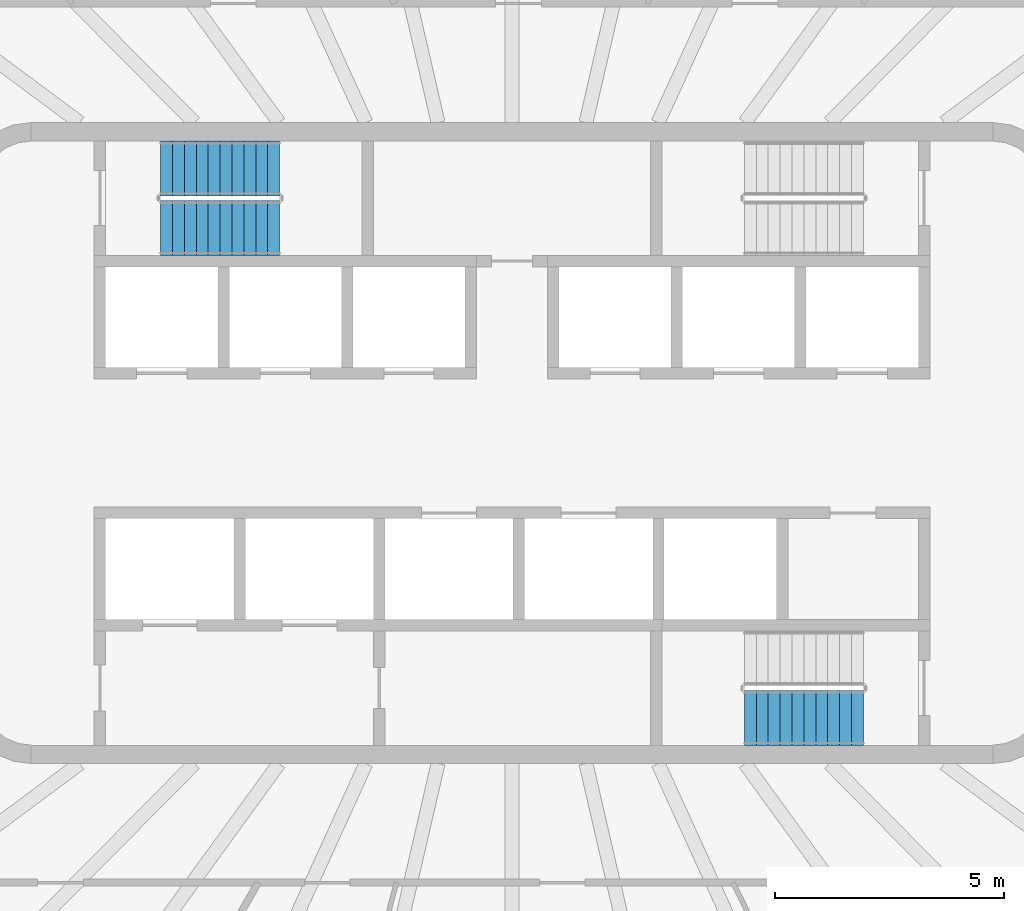
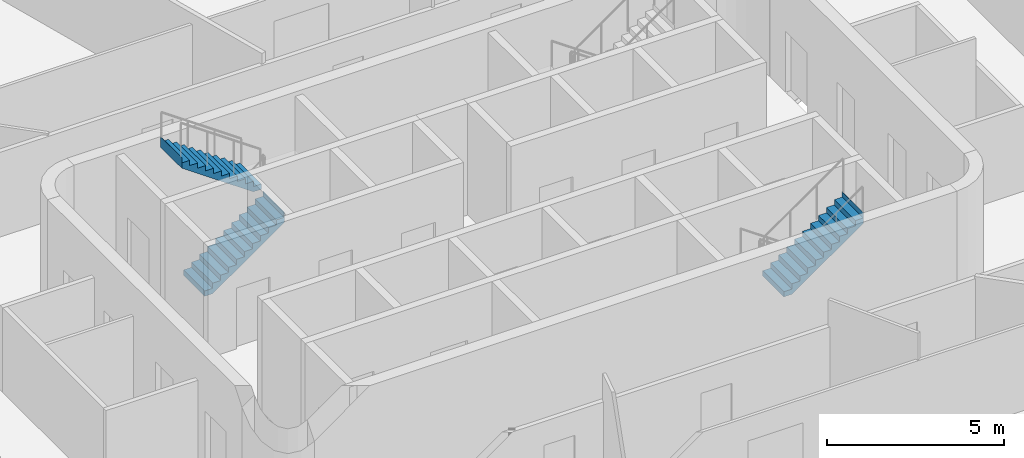
# One storey, part 16 of 22: 3 stair flights, 2 elements without a shape of their own.
"""IFC4 building model written with IfcOpenShell, lengths in metres."""

from ifc_helpers import new_model, si_unit, direction, frame, origin, place, context, subcontext, project, spatial, triangles, material, type_object, element, aggregate, save


model = new_model("IFC4")

# Units and contexts
model_context = context("Model", 3, precision=1e-05, world=origin(), true_north=direction((0.0, 1.0)))
body_context = subcontext(model_context, "Body", "Model", "MODEL_VIEW")
ifc_project = project(units=[si_unit("LENGTHUNIT", "METRE"), si_unit("AREAUNIT", "SQUARE_METRE"), si_unit("VOLUMEUNIT", "CUBIC_METRE"), si_unit("PLANEANGLEUNIT", "RADIAN"), si_unit("MASSUNIT", "GRAM", prefix="KILO")], contexts=[model_context])

# Site, building, storey
site_placement = place(None, origin())
site = spatial("IfcSite", under=ifc_project, at=site_placement, CompositionType="ELEMENT")
building_placement = place(site_placement, origin())
building = spatial("IfcBuilding", under=site, at=building_placement, Name="Sahrelin Media Tower", CompositionType="ELEMENT")
storey_placement = place(building_placement, frame((0.0, 0.0, 233.60009765625)))
storey = spatial("IfcBuildingStorey", under=building, at=storey_placement, Name="L50", CompositionType="ELEMENT", Elevation=233.60009765625)

# Stair, stair flights
ifc_material = material(Name="Concrete C40/50", Category="concrete")
stair_type = type_object("IfcStairType", Name="Exit stair 1200", PredefinedType="HALF_TURN_STAIR", material=ifc_material)
placement = place(storey_placement, origin())
stair_1 = element("IfcStair", 1, at=placement, inside=storey, type_object=stair_type, Name="L50 Exit stair ST1", PredefinedType="HALF_TURN_STAIR")
stair_flight_type = type_object("IfcStairFlightType", Name="Stair flight 1200", PredefinedType="STRAIGHT", material=ifc_material)
stair_flight_1_placement = place(storey_placement, frame((-7.675048828125, 4.699951171875, 0.0), z_axis=(0.0, 0.0, 1.0), x_axis=(1.0, 0.0, 0.0)))
stair_flight_1 = element("IfcStairFlight", 2, at=stair_flight_1_placement, type_object=stair_flight_type, Name="ST1 flight 1", NumberOfRisers=11, NumberOfTreads=10, PredefinedType="STRAIGHT", RiserHeight=0.181818182, TreadLength=0.26, context=body_context, shape_type="Tessellation", body=[
    triangles([(0.261474609375, 0.60009765625, 0.0), (0.261474609375, 0.300048828125, 0.0), (0.261474609375, 0.0, 0.0), (0.261474609375, -0.300048828125, 0.0), (0.261474609375, -0.60009765625, 0.0), (2.60009765625, 0.60009765625, 1.63525390625), (2.60009765625, 0.300048828125, 1.63525390625), (2.60009765625, 0.0, 1.63525390625), (2.60009765625, -0.300048828125, 1.63525390625), (2.60009765625, -0.60009765625, 1.63525390625), (2.60009765625, 0.60009765625, 2.0), (2.60009765625, 0.300048828125, 2.0), (2.60009765625, 0.0, 2.0), (2.60009765625, -0.300048828125, 2.0), (2.60009765625, -0.60009765625, 2.0), (2.597900390625, 0.60009765625, 2.0), (2.597900390625, 0.300048828125, 2.0), (2.597900390625, 0.0, 2.0), (2.597900390625, -0.300048828125, 2.0), (2.597900390625, -0.60009765625, 2.0), (2.597900390625, 0.60009765625, 1.818115234375), (2.597900390625, 0.300048828125, 1.818115234375), (2.597900390625, 0.0, 1.818115234375), (2.597900390625, -0.300048828125, 1.818115234375), (2.597900390625, -0.60009765625, 1.818115234375), (2.340087890625, 0.60009765625, 1.818115234375), (2.340087890625, 0.300048828125, 1.818115234375), (2.340087890625, 0.0, 1.818115234375), (2.340087890625, -0.300048828125, 1.818115234375), (2.340087890625, -0.60009765625, 1.818115234375), (2.340087890625, 0.60009765625, 1.636474609375), (2.340087890625, 0.300048828125, 1.636474609375), (2.340087890625, 0.0, 1.636474609375), (2.340087890625, -0.300048828125, 1.636474609375), (2.340087890625, -0.60009765625, 1.636474609375), (2.080078125, 0.60009765625, 1.636474609375), (2.080078125, 0.300048828125, 1.636474609375), (2.080078125, 0.0, 1.636474609375), (2.080078125, -0.300048828125, 1.636474609375), (2.080078125, -0.60009765625, 1.636474609375), (2.080078125, 0.60009765625, 1.45458984375), (2.080078125, 0.300048828125, 1.45458984375), (2.080078125, 0.0, 1.45458984375), (2.080078125, -0.300048828125, 1.45458984375), (2.080078125, -0.60009765625, 1.45458984375), (1.820068359375, 0.60009765625, 1.45458984375), (1.820068359375, 0.300048828125, 1.45458984375), (1.820068359375, 0.0, 1.45458984375), (1.820068359375, -0.300048828125, 1.45458984375), (1.820068359375, -0.60009765625, 1.45458984375), (1.820068359375, 0.60009765625, 1.272705078125), (1.820068359375, 0.300048828125, 1.272705078125), (1.820068359375, 0.0, 1.272705078125), (1.820068359375, -0.300048828125, 1.272705078125), (1.820068359375, -0.60009765625, 1.272705078125), (1.56005859375, 0.60009765625, 1.272705078125), (1.56005859375, 0.300048828125, 1.272705078125), (1.56005859375, 0.0, 1.272705078125), (1.56005859375, -0.300048828125, 1.272705078125), (1.56005859375, -0.60009765625, 1.272705078125), (1.56005859375, 0.60009765625, 1.0908203125), (1.56005859375, 0.300048828125, 1.0908203125), (1.56005859375, 0.0, 1.0908203125), (1.56005859375, -0.300048828125, 1.0908203125), (1.56005859375, -0.60009765625, 1.0908203125), (1.300048828125, 0.60009765625, 1.0908203125), (1.300048828125, 0.300048828125, 1.0908203125), (1.300048828125, 0.0, 1.0908203125), (1.300048828125, -0.300048828125, 1.0908203125), (1.300048828125, -0.60009765625, 1.0908203125), (1.300048828125, 0.60009765625, 0.9091796875), (1.300048828125, 0.300048828125, 0.9091796875), (1.300048828125, 0.0, 0.9091796875), (1.300048828125, -0.300048828125, 0.9091796875), (1.300048828125, -0.60009765625, 0.9091796875), (1.0400390625, 0.60009765625, 0.9091796875), (1.0400390625, 0.300048828125, 0.9091796875), (1.0400390625, 0.0, 0.9091796875), (1.0400390625, -0.300048828125, 0.9091796875), (1.0400390625, -0.60009765625, 0.9091796875), (1.0400390625, 0.60009765625, 0.727294921875), (1.0400390625, 0.300048828125, 0.727294921875), (1.0400390625, 0.0, 0.727294921875), (1.0400390625, -0.300048828125, 0.727294921875), (1.0400390625, -0.60009765625, 0.727294921875), (0.780029296875, 0.60009765625, 0.727294921875), (0.780029296875, 0.300048828125, 0.727294921875), (0.780029296875, 0.0, 0.727294921875), (0.780029296875, -0.300048828125, 0.727294921875), (0.780029296875, -0.60009765625, 0.727294921875), (0.780029296875, 0.60009765625, 0.54541015625), (0.780029296875, 0.300048828125, 0.54541015625), (0.780029296875, 0.0, 0.54541015625), (0.780029296875, -0.300048828125, 0.54541015625), (0.780029296875, -0.60009765625, 0.54541015625), (0.52001953125, 0.60009765625, 0.54541015625), (0.52001953125, 0.300048828125, 0.54541015625), (0.52001953125, 0.0, 0.54541015625), (0.52001953125, -0.300048828125, 0.54541015625), (0.52001953125, -0.60009765625, 0.54541015625), (0.52001953125, 0.60009765625, 0.363525390625), (0.52001953125, 0.300048828125, 0.363525390625), (0.52001953125, 0.0, 0.363525390625), (0.52001953125, -0.300048828125, 0.363525390625), (0.52001953125, -0.60009765625, 0.363525390625), (0.260009765625, 0.60009765625, 0.363525390625), (0.260009765625, 0.300048828125, 0.363525390625), (0.260009765625, 0.0, 0.363525390625), (0.260009765625, -0.300048828125, 0.363525390625), (0.260009765625, -0.60009765625, 0.363525390625), (0.260009765625, 0.60009765625, 0.181884765625), (0.260009765625, 0.300048828125, 0.181884765625), (0.260009765625, 0.0, 0.181884765625), (0.260009765625, -0.300048828125, 0.181884765625), (0.260009765625, -0.60009765625, 0.181884765625), (0.0, 0.60009765625, 0.181884765625), (0.0, 0.300048828125, 0.181884765625), (0.0, 0.0, 0.181884765625), (0.0, -0.300048828125, 0.181884765625), (0.0, -0.60009765625, 0.181884765625), (0.0, 0.60009765625, 0.0), (0.0, 0.300048828125, 0.0), (0.0, 0.0, 0.0), (0.0, -0.300048828125, 0.0), (0.0, -0.60009765625, 0.0)], [[1, 6, 7], [1, 7, 2], [2, 7, 8], [2, 8, 3], [3, 8, 9], [3, 9, 4], [4, 9, 10], [4, 10, 5], [6, 11, 12], [6, 12, 7], [7, 12, 13], [7, 13, 8], [8, 13, 14], [8, 14, 9], [9, 14, 15], [9, 15, 10], [11, 16, 17], [11, 17, 12], [12, 17, 18], [12, 18, 13], [13, 18, 19], [13, 19, 14], [14, 19, 20], [14, 20, 15], [16, 21, 22], [16, 22, 17], [17, 22, 23], [17, 23, 18], [18, 23, 24], [18, 24, 19], [19, 24, 25], [19, 25, 20], [21, 26, 27], [21, 27, 22], [22, 27, 28], [22, 28, 23], [23, 28, 29], [23, 29, 24], [24, 29, 30], [24, 30, 25], [26, 31, 32], [26, 32, 27], [27, 32, 33], [27, 33, 28], [28, 33, 34], [28, 34, 29], [29, 34, 35], [29, 35, 30], [31, 36, 37], [31, 37, 32], [32, 37, 38], [32, 38, 33], [33, 38, 39], [33, 39, 34], [34, 39, 40], [34, 40, 35], [36, 41, 42], [36, 42, 37], [37, 42, 43], [37, 43, 38], [38, 43, 44], [38, 44, 39], [39, 44, 45], [39, 45, 40], [41, 46, 47], [41, 47, 42], [42, 47, 48], [42, 48, 43], [43, 48, 49], [43, 49, 44], [44, 49, 50], [44, 50, 45], [46, 51, 52], [46, 52, 47], [47, 52, 53], [47, 53, 48], [48, 53, 54], [48, 54, 49], [49, 54, 55], [49, 55, 50], [51, 56, 57], [51, 57, 52], [52, 57, 58], [52, 58, 53], [53, 58, 59], [53, 59, 54], [54, 59, 60], [54, 60, 55], [56, 61, 62], [56, 62, 57], [57, 62, 63], [57, 63, 58], [58, 63, 64], [58, 64, 59], [59, 64, 65], [59, 65, 60], [61, 66, 67], [61, 67, 62], [62, 67, 68], [62, 68, 63], [63, 68, 69], [63, 69, 64], [64, 69, 70], [64, 70, 65], [66, 71, 72], [66, 72, 67], [67, 72, 73], [67, 73, 68], [68, 73, 74], [68, 74, 69], [69, 74, 75], [69, 75, 70], [71, 76, 77], [71, 77, 72], [72, 77, 78], [72, 78, 73], [73, 78, 79], [73, 79, 74], [74, 79, 80], [74, 80, 75], [76, 81, 82], [76, 82, 77], [77, 82, 83], [77, 83, 78], [78, 83, 84], [78, 84, 79], [79, 84, 85], [79, 85, 80], [81, 86, 87], [81, 87, 82], [82, 87, 88], [82, 88, 83], [83, 88, 89], [83, 89, 84], [84, 89, 90], [84, 90, 85], [86, 91, 92], [86, 92, 87], [87, 92, 93], [87, 93, 88], [88, 93, 94], [88, 94, 89], [89, 94, 95], [89, 95, 90], [91, 96, 97], [91, 97, 92], [92, 97, 98], [92, 98, 93], [93, 98, 99], [93, 99, 94], [94, 99, 100], [94, 100, 95], [96, 101, 102], [96, 102, 97], [97, 102, 103], [97, 103, 98], [98, 103, 104], [98, 104, 99], [99, 104, 105], [99, 105, 100], [101, 106, 107], [101, 107, 102], [102, 107, 108], [102, 108, 103], [103, 108, 109], [103, 109, 104], [104, 109, 110], [104, 110, 105], [106, 111, 112], [106, 112, 107], [107, 112, 113], [107, 113, 108], [108, 113, 114], [108, 114, 109], [109, 114, 115], [109, 115, 110], [111, 116, 117], [111, 117, 112], [112, 117, 118], [112, 118, 113], [113, 118, 119], [113, 119, 114], [114, 119, 120], [114, 120, 115], [116, 121, 122], [116, 122, 117], [117, 122, 123], [117, 123, 118], [118, 123, 124], [118, 124, 119], [119, 124, 125], [119, 125, 120], [121, 1, 2], [121, 2, 122], [122, 2, 3], [122, 3, 123], [123, 3, 4], [123, 4, 124], [124, 4, 5], [124, 5, 125], [115, 120, 125], [111, 121, 116], [115, 105, 110], [111, 106, 101], [105, 95, 100], [101, 96, 91], [95, 85, 90], [91, 86, 81], [85, 75, 80], [81, 76, 71], [75, 65, 70], [71, 66, 61], [65, 55, 60], [61, 56, 51], [55, 45, 50], [51, 46, 41], [45, 35, 40], [41, 36, 31], [35, 25, 30], [31, 26, 21], [25, 15, 20], [21, 16, 11], [125, 5, 115], [121, 111, 1], [25, 10, 15], [21, 11, 6], [105, 115, 5], [101, 1, 111], [35, 10, 25], [31, 21, 6], [95, 105, 5], [91, 1, 101], [45, 10, 35], [41, 31, 6], [85, 95, 5], [81, 1, 91], [55, 10, 45], [51, 41, 6], [75, 85, 5], [71, 1, 81], [65, 10, 55], [61, 51, 6], [5, 10, 75], [1, 71, 6], [75, 10, 65], [71, 61, 6]], closed=True),
])
stair_flight_2_placement = place(storey_placement, frame((-5.074951171875, 6.0, 2.0), z_axis=(0.0, 0.0, 1.0), x_axis=(-1.0, 0.0, 0.0)))
stair_flight_2 = element("IfcStairFlight", 3, at=stair_flight_2_placement, type_object=stair_flight_type, Name="ST1 flight 2", NumberOfRisers=11, NumberOfTreads=10, PredefinedType="STRAIGHT", RiserHeight=0.181818182, TreadLength=0.26, context=body_context, shape_type="Tessellation", body=[
    triangles([(0.261474609375, 0.60009765625, 0.0), (0.261474609375, 0.300048828125, 0.0), (0.261474609375, 0.0, 0.0), (0.261474609375, -0.300048828125, 0.0), (0.261474609375, -0.60009765625, 0.0), (2.60009765625, 0.60009765625, 1.63525390625), (2.60009765625, 0.300048828125, 1.63525390625), (2.60009765625, 0.0, 1.63525390625), (2.60009765625, -0.300048828125, 1.63525390625), (2.60009765625, -0.60009765625, 1.63525390625), (2.60009765625, 0.60009765625, 2.0), (2.60009765625, 0.300048828125, 2.0), (2.60009765625, 0.0, 2.0), (2.60009765625, -0.300048828125, 2.0), (2.60009765625, -0.60009765625, 2.0), (2.597900390625, 0.60009765625, 2.0), (2.597900390625, 0.300048828125, 2.0), (2.597900390625, 0.0, 2.0), (2.597900390625, -0.300048828125, 2.0), (2.597900390625, -0.60009765625, 2.0), (2.597900390625, 0.60009765625, 1.818115234375), (2.597900390625, 0.300048828125, 1.818115234375), (2.597900390625, 0.0, 1.818115234375), (2.597900390625, -0.300048828125, 1.818115234375), (2.597900390625, -0.60009765625, 1.818115234375), (2.340087890625, 0.60009765625, 1.818115234375), (2.340087890625, 0.300048828125, 1.818115234375), (2.340087890625, 0.0, 1.818115234375), (2.340087890625, -0.300048828125, 1.818115234375), (2.340087890625, -0.60009765625, 1.818115234375), (2.340087890625, 0.60009765625, 1.636474609375), (2.340087890625, 0.300048828125, 1.636474609375), (2.340087890625, 0.0, 1.636474609375), (2.340087890625, -0.300048828125, 1.636474609375), (2.340087890625, -0.60009765625, 1.636474609375), (2.080078125, 0.60009765625, 1.636474609375), (2.080078125, 0.300048828125, 1.636474609375), (2.080078125, 0.0, 1.636474609375), (2.080078125, -0.300048828125, 1.636474609375), (2.080078125, -0.60009765625, 1.636474609375), (2.080078125, 0.60009765625, 1.45458984375), (2.080078125, 0.300048828125, 1.45458984375), (2.080078125, 0.0, 1.45458984375), (2.080078125, -0.300048828125, 1.45458984375), (2.080078125, -0.60009765625, 1.45458984375), (1.820068359375, 0.60009765625, 1.45458984375), (1.820068359375, 0.300048828125, 1.45458984375), (1.820068359375, 0.0, 1.45458984375), (1.820068359375, -0.300048828125, 1.45458984375), (1.820068359375, -0.60009765625, 1.45458984375), (1.820068359375, 0.60009765625, 1.272705078125), (1.820068359375, 0.300048828125, 1.272705078125), (1.820068359375, 0.0, 1.272705078125), (1.820068359375, -0.300048828125, 1.272705078125), (1.820068359375, -0.60009765625, 1.272705078125), (1.56005859375, 0.60009765625, 1.272705078125), (1.56005859375, 0.300048828125, 1.272705078125), (1.56005859375, 0.0, 1.272705078125), (1.56005859375, -0.300048828125, 1.272705078125), (1.56005859375, -0.60009765625, 1.272705078125), (1.56005859375, 0.60009765625, 1.0908203125), (1.56005859375, 0.300048828125, 1.0908203125), (1.56005859375, 0.0, 1.0908203125), (1.56005859375, -0.300048828125, 1.0908203125), (1.56005859375, -0.60009765625, 1.0908203125), (1.300048828125, 0.60009765625, 1.0908203125), (1.300048828125, 0.300048828125, 1.0908203125), (1.300048828125, 0.0, 1.0908203125), (1.300048828125, -0.300048828125, 1.0908203125), (1.300048828125, -0.60009765625, 1.0908203125), (1.300048828125, 0.60009765625, 0.9091796875), (1.300048828125, 0.300048828125, 0.9091796875), (1.300048828125, 0.0, 0.9091796875), (1.300048828125, -0.300048828125, 0.9091796875), (1.300048828125, -0.60009765625, 0.9091796875), (1.0400390625, 0.60009765625, 0.9091796875), (1.0400390625, 0.300048828125, 0.9091796875), (1.0400390625, 0.0, 0.9091796875), (1.0400390625, -0.300048828125, 0.9091796875), (1.0400390625, -0.60009765625, 0.9091796875), (1.0400390625, 0.60009765625, 0.727294921875), (1.0400390625, 0.300048828125, 0.727294921875), (1.0400390625, 0.0, 0.727294921875), (1.0400390625, -0.300048828125, 0.727294921875), (1.0400390625, -0.60009765625, 0.727294921875), (0.780029296875, 0.60009765625, 0.727294921875), (0.780029296875, 0.300048828125, 0.727294921875), (0.780029296875, 0.0, 0.727294921875), (0.780029296875, -0.300048828125, 0.727294921875), (0.780029296875, -0.60009765625, 0.727294921875), (0.780029296875, 0.60009765625, 0.54541015625), (0.780029296875, 0.300048828125, 0.54541015625), (0.780029296875, 0.0, 0.54541015625), (0.780029296875, -0.300048828125, 0.54541015625), (0.780029296875, -0.60009765625, 0.54541015625), (0.52001953125, 0.60009765625, 0.54541015625), (0.52001953125, 0.300048828125, 0.54541015625), (0.52001953125, 0.0, 0.54541015625), (0.52001953125, -0.300048828125, 0.54541015625), (0.52001953125, -0.60009765625, 0.54541015625), (0.52001953125, 0.60009765625, 0.363525390625), (0.52001953125, 0.300048828125, 0.363525390625), (0.52001953125, 0.0, 0.363525390625), (0.52001953125, -0.300048828125, 0.363525390625), (0.52001953125, -0.60009765625, 0.363525390625), (0.260009765625, 0.60009765625, 0.363525390625), (0.260009765625, 0.300048828125, 0.363525390625), (0.260009765625, 0.0, 0.363525390625), (0.260009765625, -0.300048828125, 0.363525390625), (0.260009765625, -0.60009765625, 0.363525390625), (0.260009765625, 0.60009765625, 0.181884765625), (0.260009765625, 0.300048828125, 0.181884765625), (0.260009765625, 0.0, 0.181884765625), (0.260009765625, -0.300048828125, 0.181884765625), (0.260009765625, -0.60009765625, 0.181884765625), (0.0, 0.60009765625, 0.181884765625), (0.0, 0.300048828125, 0.181884765625), (0.0, 0.0, 0.181884765625), (0.0, -0.300048828125, 0.181884765625), (0.0, -0.60009765625, 0.181884765625), (0.0, 0.60009765625, 0.0), (0.0, 0.300048828125, 0.0), (0.0, 0.0, 0.0), (0.0, -0.300048828125, 0.0), (0.0, -0.60009765625, 0.0)], [[1, 6, 7], [1, 7, 2], [2, 7, 8], [2, 8, 3], [3, 8, 9], [3, 9, 4], [4, 9, 10], [4, 10, 5], [6, 11, 12], [6, 12, 7], [7, 12, 13], [7, 13, 8], [8, 13, 14], [8, 14, 9], [9, 14, 15], [9, 15, 10], [11, 16, 17], [11, 17, 12], [12, 17, 18], [12, 18, 13], [13, 18, 19], [13, 19, 14], [14, 19, 20], [14, 20, 15], [16, 21, 22], [16, 22, 17], [17, 22, 23], [17, 23, 18], [18, 23, 24], [18, 24, 19], [19, 24, 25], [19, 25, 20], [21, 26, 27], [21, 27, 22], [22, 27, 28], [22, 28, 23], [23, 28, 29], [23, 29, 24], [24, 29, 30], [24, 30, 25], [26, 31, 32], [26, 32, 27], [27, 32, 33], [27, 33, 28], [28, 33, 34], [28, 34, 29], [29, 34, 35], [29, 35, 30], [31, 36, 37], [31, 37, 32], [32, 37, 38], [32, 38, 33], [33, 38, 39], [33, 39, 34], [34, 39, 40], [34, 40, 35], [36, 41, 42], [36, 42, 37], [37, 42, 43], [37, 43, 38], [38, 43, 44], [38, 44, 39], [39, 44, 45], [39, 45, 40], [41, 46, 47], [41, 47, 42], [42, 47, 48], [42, 48, 43], [43, 48, 49], [43, 49, 44], [44, 49, 50], [44, 50, 45], [46, 51, 52], [46, 52, 47], [47, 52, 53], [47, 53, 48], [48, 53, 54], [48, 54, 49], [49, 54, 55], [49, 55, 50], [51, 56, 57], [51, 57, 52], [52, 57, 58], [52, 58, 53], [53, 58, 59], [53, 59, 54], [54, 59, 60], [54, 60, 55], [56, 61, 62], [56, 62, 57], [57, 62, 63], [57, 63, 58], [58, 63, 64], [58, 64, 59], [59, 64, 65], [59, 65, 60], [61, 66, 67], [61, 67, 62], [62, 67, 68], [62, 68, 63], [63, 68, 69], [63, 69, 64], [64, 69, 70], [64, 70, 65], [66, 71, 72], [66, 72, 67], [67, 72, 73], [67, 73, 68], [68, 73, 74], [68, 74, 69], [69, 74, 75], [69, 75, 70], [71, 76, 77], [71, 77, 72], [72, 77, 78], [72, 78, 73], [73, 78, 79], [73, 79, 74], [74, 79, 80], [74, 80, 75], [76, 81, 82], [76, 82, 77], [77, 82, 83], [77, 83, 78], [78, 83, 84], [78, 84, 79], [79, 84, 85], [79, 85, 80], [81, 86, 87], [81, 87, 82], [82, 87, 88], [82, 88, 83], [83, 88, 89], [83, 89, 84], [84, 89, 90], [84, 90, 85], [86, 91, 92], [86, 92, 87], [87, 92, 93], [87, 93, 88], [88, 93, 94], [88, 94, 89], [89, 94, 95], [89, 95, 90], [91, 96, 97], [91, 97, 92], [92, 97, 98], [92, 98, 93], [93, 98, 99], [93, 99, 94], [94, 99, 100], [94, 100, 95], [96, 101, 102], [96, 102, 97], [97, 102, 103], [97, 103, 98], [98, 103, 104], [98, 104, 99], [99, 104, 105], [99, 105, 100], [101, 106, 107], [101, 107, 102], [102, 107, 108], [102, 108, 103], [103, 108, 109], [103, 109, 104], [104, 109, 110], [104, 110, 105], [106, 111, 112], [106, 112, 107], [107, 112, 113], [107, 113, 108], [108, 113, 114], [108, 114, 109], [109, 114, 115], [109, 115, 110], [111, 116, 117], [111, 117, 112], [112, 117, 118], [112, 118, 113], [113, 118, 119], [113, 119, 114], [114, 119, 120], [114, 120, 115], [116, 121, 122], [116, 122, 117], [117, 122, 123], [117, 123, 118], [118, 123, 124], [118, 124, 119], [119, 124, 125], [119, 125, 120], [121, 1, 2], [121, 2, 122], [122, 2, 3], [122, 3, 123], [123, 3, 4], [123, 4, 124], [124, 4, 5], [124, 5, 125], [115, 120, 125], [111, 121, 116], [115, 105, 110], [111, 106, 101], [105, 95, 100], [101, 96, 91], [95, 85, 90], [91, 86, 81], [85, 75, 80], [81, 76, 71], [75, 65, 70], [71, 66, 61], [65, 55, 60], [61, 56, 51], [55, 45, 50], [51, 46, 41], [45, 35, 40], [41, 36, 31], [35, 25, 30], [31, 26, 21], [25, 15, 20], [21, 16, 11], [125, 5, 115], [121, 111, 1], [25, 10, 15], [21, 11, 6], [105, 115, 5], [101, 1, 111], [35, 10, 25], [31, 21, 6], [95, 105, 5], [91, 1, 101], [45, 10, 35], [41, 31, 6], [85, 95, 5], [81, 1, 91], [55, 10, 45], [51, 41, 6], [75, 85, 5], [71, 1, 81], [65, 10, 55], [61, 51, 6], [5, 10, 75], [1, 71, 6], [75, 10, 65], [71, 61, 6]], closed=True),
])
aggregate(stair_1, [stair_flight_1, stair_flight_2])

# Stair, stair flight
stair_2 = element("IfcStair", 4, at=placement, inside=storey, type_object=stair_type, Name="L50 Exit stair ST2", PredefinedType="HALF_TURN_STAIR")
stair_flight_3_placement = place(storey_placement, frame((5.074951171875, -6.0, 2.0), z_axis=(0.0, 0.0, 1.0), x_axis=(1.0, 0.0, 0.0)))
stair_flight_3 = element("IfcStairFlight", 5, at=stair_flight_3_placement, type_object=stair_flight_type, Name="ST2 flight 2", NumberOfRisers=11, NumberOfTreads=10, PredefinedType="STRAIGHT", RiserHeight=0.181818182, TreadLength=0.26, context=body_context, shape_type="Tessellation", body=[
    triangles([(0.261474609375, 0.60009765625, 0.0), (0.261474609375, 0.300048828125, 0.0), (0.261474609375, 0.0, 0.0), (0.261474609375, -0.300048828125, 0.0), (0.261474609375, -0.60009765625, 0.0), (2.60009765625, 0.60009765625, 1.63525390625), (2.60009765625, 0.300048828125, 1.63525390625), (2.60009765625, 0.0, 1.63525390625), (2.60009765625, -0.300048828125, 1.63525390625), (2.60009765625, -0.60009765625, 1.63525390625), (2.60009765625, 0.60009765625, 2.0), (2.60009765625, 0.300048828125, 2.0), (2.60009765625, 0.0, 2.0), (2.60009765625, -0.300048828125, 2.0), (2.60009765625, -0.60009765625, 2.0), (2.597900390625, 0.60009765625, 2.0), (2.597900390625, 0.300048828125, 2.0), (2.597900390625, 0.0, 2.0), (2.597900390625, -0.300048828125, 2.0), (2.597900390625, -0.60009765625, 2.0), (2.597900390625, 0.60009765625, 1.818115234375), (2.597900390625, 0.300048828125, 1.818115234375), (2.597900390625, 0.0, 1.818115234375), (2.597900390625, -0.300048828125, 1.818115234375), (2.597900390625, -0.60009765625, 1.818115234375), (2.340087890625, 0.60009765625, 1.818115234375), (2.340087890625, 0.300048828125, 1.818115234375), (2.340087890625, 0.0, 1.818115234375), (2.340087890625, -0.300048828125, 1.818115234375), (2.340087890625, -0.60009765625, 1.818115234375), (2.340087890625, 0.60009765625, 1.636474609375), (2.340087890625, 0.300048828125, 1.636474609375), (2.340087890625, 0.0, 1.636474609375), (2.340087890625, -0.300048828125, 1.636474609375), (2.340087890625, -0.60009765625, 1.636474609375), (2.080078125, 0.60009765625, 1.636474609375), (2.080078125, 0.300048828125, 1.636474609375), (2.080078125, 0.0, 1.636474609375), (2.080078125, -0.300048828125, 1.636474609375), (2.080078125, -0.60009765625, 1.636474609375), (2.080078125, 0.60009765625, 1.45458984375), (2.080078125, 0.300048828125, 1.45458984375), (2.080078125, 0.0, 1.45458984375), (2.080078125, -0.300048828125, 1.45458984375), (2.080078125, -0.60009765625, 1.45458984375), (1.820068359375, 0.60009765625, 1.45458984375), (1.820068359375, 0.300048828125, 1.45458984375), (1.820068359375, 0.0, 1.45458984375), (1.820068359375, -0.300048828125, 1.45458984375), (1.820068359375, -0.60009765625, 1.45458984375), (1.820068359375, 0.60009765625, 1.272705078125), (1.820068359375, 0.300048828125, 1.272705078125), (1.820068359375, 0.0, 1.272705078125), (1.820068359375, -0.300048828125, 1.272705078125), (1.820068359375, -0.60009765625, 1.272705078125), (1.56005859375, 0.60009765625, 1.272705078125), (1.56005859375, 0.300048828125, 1.272705078125), (1.56005859375, 0.0, 1.272705078125), (1.56005859375, -0.300048828125, 1.272705078125), (1.56005859375, -0.60009765625, 1.272705078125), (1.56005859375, 0.60009765625, 1.0908203125), (1.56005859375, 0.300048828125, 1.0908203125), (1.56005859375, 0.0, 1.0908203125), (1.56005859375, -0.300048828125, 1.0908203125), (1.56005859375, -0.60009765625, 1.0908203125), (1.300048828125, 0.60009765625, 1.0908203125), (1.300048828125, 0.300048828125, 1.0908203125), (1.300048828125, 0.0, 1.0908203125), (1.300048828125, -0.300048828125, 1.0908203125), (1.300048828125, -0.60009765625, 1.0908203125), (1.300048828125, 0.60009765625, 0.9091796875), (1.300048828125, 0.300048828125, 0.9091796875), (1.300048828125, 0.0, 0.9091796875), (1.300048828125, -0.300048828125, 0.9091796875), (1.300048828125, -0.60009765625, 0.9091796875), (1.0400390625, 0.60009765625, 0.9091796875), (1.0400390625, 0.300048828125, 0.9091796875), (1.0400390625, 0.0, 0.9091796875), (1.0400390625, -0.300048828125, 0.9091796875), (1.0400390625, -0.60009765625, 0.9091796875), (1.0400390625, 0.60009765625, 0.727294921875), (1.0400390625, 0.300048828125, 0.727294921875), (1.0400390625, 0.0, 0.727294921875), (1.0400390625, -0.300048828125, 0.727294921875), (1.0400390625, -0.60009765625, 0.727294921875), (0.780029296875, 0.60009765625, 0.727294921875), (0.780029296875, 0.300048828125, 0.727294921875), (0.780029296875, 0.0, 0.727294921875), (0.780029296875, -0.300048828125, 0.727294921875), (0.780029296875, -0.60009765625, 0.727294921875), (0.780029296875, 0.60009765625, 0.54541015625), (0.780029296875, 0.300048828125, 0.54541015625), (0.780029296875, 0.0, 0.54541015625), (0.780029296875, -0.300048828125, 0.54541015625), (0.780029296875, -0.60009765625, 0.54541015625), (0.52001953125, 0.60009765625, 0.54541015625), (0.52001953125, 0.300048828125, 0.54541015625), (0.52001953125, 0.0, 0.54541015625), (0.52001953125, -0.300048828125, 0.54541015625), (0.52001953125, -0.60009765625, 0.54541015625), (0.52001953125, 0.60009765625, 0.363525390625), (0.52001953125, 0.300048828125, 0.363525390625), (0.52001953125, 0.0, 0.363525390625), (0.52001953125, -0.300048828125, 0.363525390625), (0.52001953125, -0.60009765625, 0.363525390625), (0.260009765625, 0.60009765625, 0.363525390625), (0.260009765625, 0.300048828125, 0.363525390625), (0.260009765625, 0.0, 0.363525390625), (0.260009765625, -0.300048828125, 0.363525390625), (0.260009765625, -0.60009765625, 0.363525390625), (0.260009765625, 0.60009765625, 0.181884765625), (0.260009765625, 0.300048828125, 0.181884765625), (0.260009765625, 0.0, 0.181884765625), (0.260009765625, -0.300048828125, 0.181884765625), (0.260009765625, -0.60009765625, 0.181884765625), (0.0, 0.60009765625, 0.181884765625), (0.0, 0.300048828125, 0.181884765625), (0.0, 0.0, 0.181884765625), (0.0, -0.300048828125, 0.181884765625), (0.0, -0.60009765625, 0.181884765625), (0.0, 0.60009765625, 0.0), (0.0, 0.300048828125, 0.0), (0.0, 0.0, 0.0), (0.0, -0.300048828125, 0.0), (0.0, -0.60009765625, 0.0)], [[1, 6, 7], [1, 7, 2], [2, 7, 8], [2, 8, 3], [3, 8, 9], [3, 9, 4], [4, 9, 10], [4, 10, 5], [6, 11, 12], [6, 12, 7], [7, 12, 13], [7, 13, 8], [8, 13, 14], [8, 14, 9], [9, 14, 15], [9, 15, 10], [11, 16, 17], [11, 17, 12], [12, 17, 18], [12, 18, 13], [13, 18, 19], [13, 19, 14], [14, 19, 20], [14, 20, 15], [16, 21, 22], [16, 22, 17], [17, 22, 23], [17, 23, 18], [18, 23, 24], [18, 24, 19], [19, 24, 25], [19, 25, 20], [21, 26, 27], [21, 27, 22], [22, 27, 28], [22, 28, 23], [23, 28, 29], [23, 29, 24], [24, 29, 30], [24, 30, 25], [26, 31, 32], [26, 32, 27], [27, 32, 33], [27, 33, 28], [28, 33, 34], [28, 34, 29], [29, 34, 35], [29, 35, 30], [31, 36, 37], [31, 37, 32], [32, 37, 38], [32, 38, 33], [33, 38, 39], [33, 39, 34], [34, 39, 40], [34, 40, 35], [36, 41, 42], [36, 42, 37], [37, 42, 43], [37, 43, 38], [38, 43, 44], [38, 44, 39], [39, 44, 45], [39, 45, 40], [41, 46, 47], [41, 47, 42], [42, 47, 48], [42, 48, 43], [43, 48, 49], [43, 49, 44], [44, 49, 50], [44, 50, 45], [46, 51, 52], [46, 52, 47], [47, 52, 53], [47, 53, 48], [48, 53, 54], [48, 54, 49], [49, 54, 55], [49, 55, 50], [51, 56, 57], [51, 57, 52], [52, 57, 58], [52, 58, 53], [53, 58, 59], [53, 59, 54], [54, 59, 60], [54, 60, 55], [56, 61, 62], [56, 62, 57], [57, 62, 63], [57, 63, 58], [58, 63, 64], [58, 64, 59], [59, 64, 65], [59, 65, 60], [61, 66, 67], [61, 67, 62], [62, 67, 68], [62, 68, 63], [63, 68, 69], [63, 69, 64], [64, 69, 70], [64, 70, 65], [66, 71, 72], [66, 72, 67], [67, 72, 73], [67, 73, 68], [68, 73, 74], [68, 74, 69], [69, 74, 75], [69, 75, 70], [71, 76, 77], [71, 77, 72], [72, 77, 78], [72, 78, 73], [73, 78, 79], [73, 79, 74], [74, 79, 80], [74, 80, 75], [76, 81, 82], [76, 82, 77], [77, 82, 83], [77, 83, 78], [78, 83, 84], [78, 84, 79], [79, 84, 85], [79, 85, 80], [81, 86, 87], [81, 87, 82], [82, 87, 88], [82, 88, 83], [83, 88, 89], [83, 89, 84], [84, 89, 90], [84, 90, 85], [86, 91, 92], [86, 92, 87], [87, 92, 93], [87, 93, 88], [88, 93, 94], [88, 94, 89], [89, 94, 95], [89, 95, 90], [91, 96, 97], [91, 97, 92], [92, 97, 98], [92, 98, 93], [93, 98, 99], [93, 99, 94], [94, 99, 100], [94, 100, 95], [96, 101, 102], [96, 102, 97], [97, 102, 103], [97, 103, 98], [98, 103, 104], [98, 104, 99], [99, 104, 105], [99, 105, 100], [101, 106, 107], [101, 107, 102], [102, 107, 108], [102, 108, 103], [103, 108, 109], [103, 109, 104], [104, 109, 110], [104, 110, 105], [106, 111, 112], [106, 112, 107], [107, 112, 113], [107, 113, 108], [108, 113, 114], [108, 114, 109], [109, 114, 115], [109, 115, 110], [111, 116, 117], [111, 117, 112], [112, 117, 118], [112, 118, 113], [113, 118, 119], [113, 119, 114], [114, 119, 120], [114, 120, 115], [116, 121, 122], [116, 122, 117], [117, 122, 123], [117, 123, 118], [118, 123, 124], [118, 124, 119], [119, 124, 125], [119, 125, 120], [121, 1, 2], [121, 2, 122], [122, 2, 3], [122, 3, 123], [123, 3, 4], [123, 4, 124], [124, 4, 5], [124, 5, 125], [115, 120, 125], [111, 121, 116], [115, 105, 110], [111, 106, 101], [105, 95, 100], [101, 96, 91], [95, 85, 90], [91, 86, 81], [85, 75, 80], [81, 76, 71], [75, 65, 70], [71, 66, 61], [65, 55, 60], [61, 56, 51], [55, 45, 50], [51, 46, 41], [45, 35, 40], [41, 36, 31], [35, 25, 30], [31, 26, 21], [25, 15, 20], [21, 16, 11], [125, 5, 115], [121, 111, 1], [25, 10, 15], [21, 11, 6], [105, 115, 5], [101, 1, 111], [35, 10, 25], [31, 21, 6], [95, 105, 5], [91, 1, 101], [45, 10, 35], [41, 31, 6], [85, 95, 5], [81, 1, 91], [55, 10, 45], [51, 41, 6], [75, 85, 5], [71, 1, 81], [65, 10, 55], [61, 51, 6], [5, 10, 75], [1, 71, 6], [75, 10, 65], [71, 61, 6]], closed=True),
])
aggregate(stair_2, [stair_flight_3])

save(model, "model.ifc")
